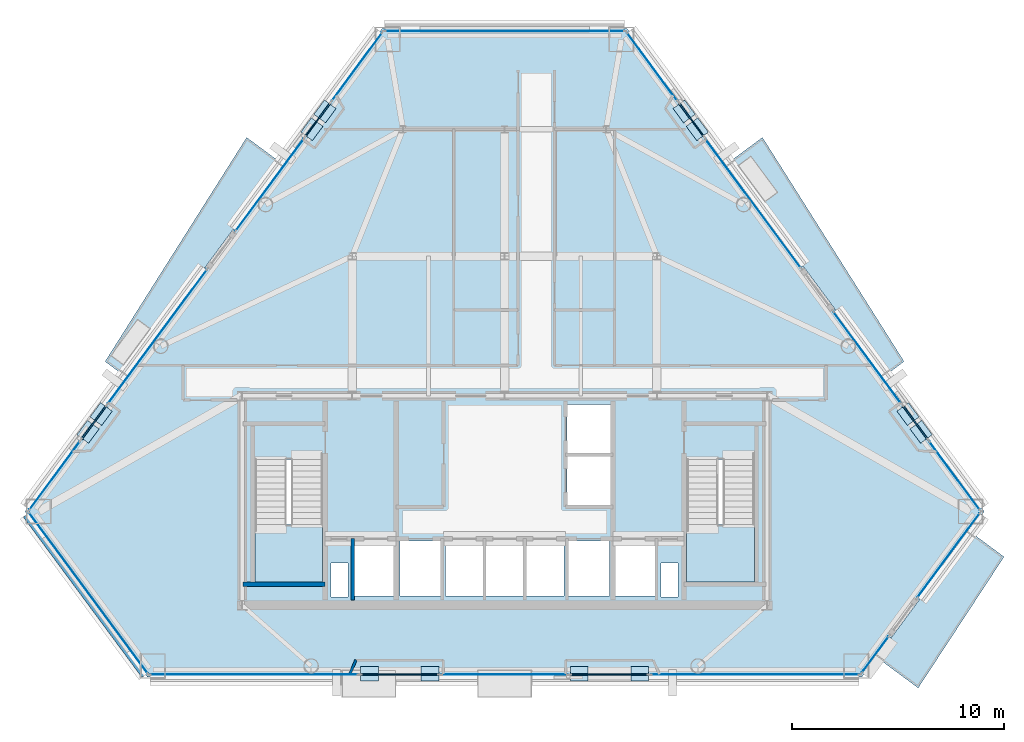
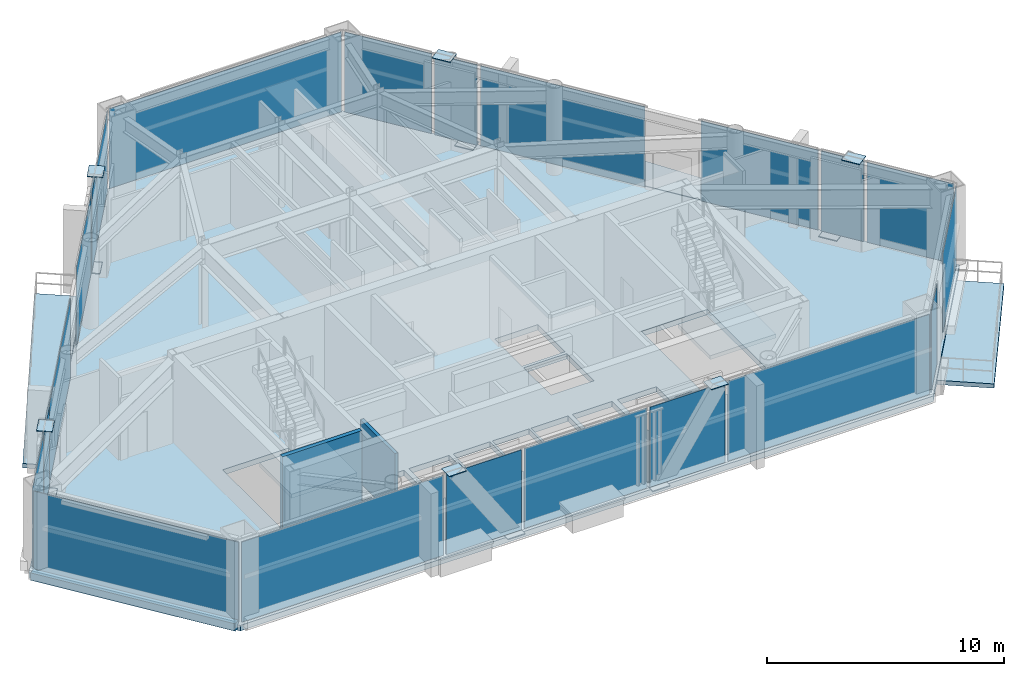
# One storey, part 6 of 11: 33 plates, 6 slabs, 4 walls, 23 elements without a shape of their own.
"""IFC4 building model written with IfcOpenShell, lengths in metres."""

from ifc_helpers import new_model, si_unit, direction, frame, frame_2d, origin, origin_2d, place, context, subcontext, project, spatial, polyline, rectangle, outline, extrude, source, transform, mapped, material, layer, layer_set, type_object, type_shapes, element, aggregate, save


model = new_model("IFC4")

# Units and contexts
model_context = context("Model", 3, precision=1e-05, world=origin(), true_north=direction((0.0, 1.0)))
body_context = subcontext(model_context, "Body", "Model", "MODEL_VIEW")
ifc_project = project(units=[si_unit("LENGTHUNIT", "METRE"), si_unit("AREAUNIT", "SQUARE_METRE"), si_unit("VOLUMEUNIT", "CUBIC_METRE"), si_unit("PLANEANGLEUNIT", "RADIAN"), si_unit("MASSUNIT", "GRAM", prefix="KILO")], contexts=[model_context])

# Site, building, storey
site_placement = place(None, origin())
site = spatial("IfcSite", under=ifc_project, at=site_placement, CompositionType="ELEMENT")
building_placement = place(site_placement, origin())
building = spatial("IfcBuilding", under=site, at=building_placement, Name="Talgorran Terracotta Tower", CompositionType="ELEMENT")
storey_placement = place(building_placement, frame((0.0, 0.0, 117.60009765625)))
storey = spatial("IfcBuildingStorey", under=building, at=storey_placement, Name="L30", CompositionType="ELEMENT", Elevation=117.60009765625)

# Plates
ifc_material_1 = material(Name="Steel Grade 350 (350L0)", Category="steel")
ifc_layer_1 = layer(ifc_material_1, 0.035888671875, Name="PL_CAP_MN06")
ifc_layer_set_1 = layer_set([ifc_layer_1], Name="Steel Grade 350 (350L0)")
plate_type_1 = type_object("IfcPlateType", Name="PL_CAP_MN06", PredefinedType="USERDEFINED", material=ifc_layer_set_1)
for number, where, z_axis, x_axis, name in (
    (1, (-3.528076171875, -17.3232421875, -0.0078125), (0.0, 0.0, 1.0), (-1.0, 0.0, 0.0), "L30 Diagonal Frame End Cap SWF Bot"),
    (2, (-6.3837890625, -17.3232421875, 4.22216796875), (0.0, 0.0, 1.0), (-1.0, 0.0, 0.0), "L30 Diagonal Frame End Cap SWF Top"),
    (3, (3.528076171875, -17.3232421875, -0.0078125), (0.0, 0.0, 1.0), (1.0, 0.0, 0.0), "L30 Diagonal Frame End Cap SEF Bot"),
    (4, (6.3837890625, -17.3232421875, 4.22216796875), (0.0, 0.0, 1.0), (1.0, 0.0, 0.0), "L30 Diagonal Frame End Cap SEF Top"),
    (5, (19.063720703125, -5.06103515625, -0.0078125), (0.0, 0.0, 1.0), (0.594682478203, -0.803960664534, 0.0), "L30 Diagonal Frame End Cap NEL Bot"),
    (6, (19.683837890625, -5.899658203125, 4.22216796875), (0.0, 0.0, 1.0), (0.594682478203, -0.803960664534, 0.0), "L30 Diagonal Frame End Cap NEL Top"),
    (7, (9.106689453125, 8.401123046875, -0.0078125), (0.0, 0.0, 1.0), (-0.594682478203, 0.803960664534, 0.0), "L30 Diagonal Frame End Cap NEU Bot"),
    (8, (8.486572265625, 9.23974609375, 4.22216796875), (0.0, 0.0, 1.0), (-0.594682478203, 0.803960664534, 0.0), "L30 Diagonal Frame End Cap NEU Top"),
    (9, (-9.106689453125, 8.401123046875, -0.0078125), (0.0, 0.0, 1.0), (0.594682478203, 0.803960664534, 0.0), "L30 Diagonal Frame End Cap NWU Bot"),
    (10, (-8.486572265625, 9.23974609375, 4.22216796875), (0.0, 0.0, 1.0), (0.594682478203, 0.803960664534, 0.0), "L30 Diagonal Frame End Cap NWU Top"),
    (11, (-19.063720703125, -5.06103515625, -0.0078125), (0.0, 0.0, 1.0), (-0.594682478203, -0.803960664534, 0.0), "L30 Diagonal Frame End Cap NWL Bot"),
    (12, (-19.683837890625, -5.899658203125, 4.22216796875), (0.0, 0.0, 1.0), (-0.594682478203, -0.803960664534, 0.0), "L30 Diagonal Frame End Cap NWL Top"),
):
    element("IfcPlate", number, at=place(storey_placement, frame(where, z_axis=z_axis, x_axis=x_axis)), inside=storey, type_object=plate_type_1, Name=name, ObjectType="CAP PLATE", PredefinedType="USERDEFINED", context=body_context, shape_type="SweptSolid", body=[
        extrude(rectangle(XDim=0.840087890625, YDim=0.679931640625, at=origin_2d()), origin(), (0.0, 0.0, 1.0), 0.035888671875),
    ])

# Slabs
ifc_material_2 = material(Name="Concrete C40/50", Category="concrete")
ifc_layer_2 = layer(ifc_material_2, 0.219970703125, Name="SL_BALCONY_220")
ifc_layer_set_2 = layer_set([ifc_layer_2], Name="Concrete C40/50")
slab_type_1 = type_object("IfcSlabType", Name="SL_BALCONY_220", PredefinedType="FLOOR", material=ifc_layer_set_2)
slab_1_placement = place(storey_placement, frame((0.0, 0.0, -0.22021484375)))
element("IfcSlab", 13, at=slab_1_placement, inside=storey, type_object=slab_type_1, Name="L30 Outdoor Wave Balcony BAL-NE", PredefinedType="FLOOR", context=body_context, shape_type="SweptSolid", body=[
    extrude(outline(polyline([(10.523193359375, 6.780029296875), (17.95068359375, -3.26220703125), (18.877197265625, -2.5771484375), (12.185791015625, 8.009765625), (10.523193359375, 6.780029296875)])), origin(), (0.0, 0.0, 1.0), 0.22021484375),
])
slab_2_placement = place(storey_placement, frame((0.0, 0.0, -0.22021484375)))
element("IfcSlab", 14, at=slab_2_placement, inside=storey, type_object=slab_type_1, Name="L30 Outdoor Wave Balcony BAL-NW", PredefinedType="FLOOR", context=body_context, shape_type="SweptSolid", body=[
    extrude(outline(polyline([(-17.95068359375, -3.26220703125), (-10.523193359375, 6.780029296875), (-12.185791015625, 8.009765625), (-18.877197265625, -2.5771484375), (-17.95068359375, -3.26220703125)])), origin(), (0.0, 0.0, 1.0), 0.22021484375),
])
slab_3_placement = place(storey_placement, frame((0.0, 0.0, -0.22021484375)))
element("IfcSlab", 15, at=slab_3_placement, inside=storey, type_object=slab_type_1, Name="L30 Outdoor Wave Balcony BAL-SE", PredefinedType="FLOOR", context=body_context, shape_type="SweptSolid", body=[
    extrude(outline(polyline([(21.983154296875, -10.609375), (17.586669921875, -16.5537109375), (19.544189453125, -18.001220703125), (23.6005859375, -11.8056640625), (21.983154296875, -10.609375)])), origin(), (0.0, 0.0, 1.0), 0.22021484375),
])
ifc_layer_3 = layer(ifc_material_2, 0.280029296875, Name="SL_HALL_280")
ifc_layer_set_3 = layer_set([ifc_layer_3], Name="Concrete C40/50")
slab_type_2 = type_object("IfcSlabType", Name="SL_HALL_280", PredefinedType="FLOOR", material=ifc_layer_set_3)
slab_4_placement = place(storey_placement, frame((0.0, 0.0, -0.280029296875)))
element("IfcSlab", 16, at=slab_4_placement, inside=storey, type_object=slab_type_2, Name="Storey L30 Structural Floor Slab", PredefinedType="FLOOR", context=body_context, shape_type="SweptSolid", body=[
    extrude(outline(polyline([(-22.665283203125, -9.661865234375), (-16.880615234375, -17.4833984375), (16.880615234375, -17.4833984375), (22.665283203125, -9.661865234375), (5.78466796875, 13.161865234375), (-5.78466796875, 13.161865234375), (-22.665283203125, -9.661865234375)]), holes=[polyline([(-11.800048828125, -7.199951171875), (-11.800048828125, -13.0), (-8.60009765625, -13.0), (-8.60009765625, -7.199951171875), (-11.800048828125, -7.199951171875)]), polyline([(8.60009765625, -7.199951171875), (8.60009765625, -13.0), (11.800048828125, -13.0), (11.800048828125, -7.199951171875), (8.60009765625, -7.199951171875)]), polyline([(-7.10009765625, -13.64990234375), (-5.199951171875, -13.64990234375), (-5.199951171875, -11.050048828125), (-7.10009765625, -11.050048828125), (-7.10009765625, -13.64990234375)]), polyline([(5.199951171875, -13.64990234375), (7.10009765625, -13.64990234375), (7.10009765625, -11.050048828125), (5.199951171875, -11.050048828125), (5.199951171875, -13.64990234375)]), polyline([(3.0, -13.64990234375), (4.949951171875, -13.64990234375), (4.949951171875, -11.050048828125), (3.0, -11.050048828125), (3.0, -13.64990234375)]), polyline([(-4.949951171875, -13.64990234375), (-3.0, -13.64990234375), (-3.0, -11.050048828125), (-4.949951171875, -11.050048828125), (-4.949951171875, -13.64990234375)]), polyline([(2.949951171875, -9.35009765625), (5.050048828125, -9.35009765625), (5.050048828125, -7.050048828125), (2.949951171875, -7.050048828125), (2.949951171875, -9.35009765625)]), polyline([(2.949951171875, -6.89990234375), (5.050048828125, -6.89990234375), (5.050048828125, -4.60009765625), (2.949951171875, -4.60009765625), (2.949951171875, -6.89990234375)]), polyline([(-2.800048828125, -13.64990234375), (-1.0, -13.64990234375), (-1.0, -11.050048828125), (-2.800048828125, -11.050048828125), (-2.800048828125, -13.64990234375)]), polyline([(-0.89990234375, -13.64990234375), (0.89990234375, -13.64990234375), (0.89990234375, -11.050048828125), (-0.89990234375, -11.050048828125), (-0.89990234375, -13.64990234375)]), polyline([(1.0, -13.64990234375), (2.800048828125, -13.64990234375), (2.800048828125, -11.050048828125), (1.0, -11.050048828125), (1.0, -13.64990234375)]), polyline([(-8.199951171875, -13.699951171875), (-7.39990234375, -13.699951171875), (-7.39990234375, -12.10009765625), (-8.199951171875, -12.10009765625), (-8.199951171875, -13.699951171875)]), polyline([(7.39990234375, -13.699951171875), (8.199951171875, -13.699951171875), (8.199951171875, -12.10009765625), (7.39990234375, -12.10009765625), (7.39990234375, -13.699951171875)])]), origin(), (0.0, 0.0, 1.0), 0.280029296875),
])

# Stair, slab
stair_type = type_object("IfcStairType", Name="ST_FIRE_SCISSOR", PredefinedType="HALF_TURN_STAIR", material=ifc_material_2)
stair_1_placement = place(storey_placement, origin())
stair_1 = element("IfcStair", 17, at=stair_1_placement, inside=storey, type_object=stair_type, Name="L30 West Protected Fire Stair ST-01", PredefinedType="HALF_TURN_STAIR")
ifc_layer_4 = layer(ifc_material_2, 0.199951171875, Name="SL_LANDING_200")
ifc_layer_set_4 = layer_set([ifc_layer_4], Name="Concrete C40/50")
slab_type_3 = type_object("IfcSlabType", Name="SL_LANDING_200", PredefinedType="LANDING", material=ifc_layer_set_4)
slab_5_placement = place(storey_placement, frame((0.0, 0.0, 2.0498046875)))
slab_5 = element("IfcSlab", 18, at=slab_5_placement, type_object=slab_type_3, Name="ST-01 landing 1", PredefinedType="LANDING", context=body_context, shape_type="SweptSolid", body=[
    extrude(outline(polyline([(-11.800048828125, -10.280029296875), (-11.800048828125, -13.0), (-8.60009765625, -13.0), (-8.60009765625, -10.280029296875), (-11.800048828125, -10.280029296875)])), origin(), (0.0, 0.0, 1.0), 0.2001953125),
])
aggregate(stair_1, [slab_5])

stair_2_placement = place(storey_placement, origin())
stair_2 = element("IfcStair", 19, at=stair_2_placement, inside=storey, type_object=stair_type, Name="L30 East Protected Fire Stair ST-02", PredefinedType="HALF_TURN_STAIR")
slab_6_placement = place(storey_placement, frame((0.0, 0.0, 2.0498046875)))
slab_6 = element("IfcSlab", 20, at=slab_6_placement, type_object=slab_type_3, Name="ST-02 landing 1", PredefinedType="LANDING", context=body_context, shape_type="SweptSolid", body=[
    extrude(outline(polyline([(8.60009765625, -10.280029296875), (8.60009765625, -13.0), (11.800048828125, -13.0), (11.800048828125, -10.280029296875), (8.60009765625, -10.280029296875)])), origin(), (0.0, 0.0, 1.0), 0.2001953125),
])
aggregate(stair_2, [slab_6])

# Curtain wall, plate
ifc_material_3 = material(Name="Unitised Low-E Double Glazing", Category="glass")
ifc_layer_5 = layer(ifc_material_3, 0.199951171875, Name="CW_SYS2_RES_LOW")
ifc_layer_set_5 = layer_set([ifc_layer_5], Name="Unitised Low-E Double Glazing")
curtain_wall_type = type_object("IfcCurtainWallType", Name="CW_SYS2_RES_LOW", PredefinedType="NOTDEFINED", material=ifc_layer_set_5)
curtain_wall_1_placement = place(storey_placement, origin())
curtain_wall_1 = element("IfcCurtainWall", 21, at=curtain_wall_1_placement, inside=storey, type_object=curtain_wall_type, Name="CW-L30-F0", PredefinedType="NOTDEFINED")
ifc_material_4 = material(Name="Low-E Laminated Vision Glass", Category="glass")
ifc_layer_6 = layer(ifc_material_4, 0.028076171875, Name="PLT_VISION_28")
ifc_layer_set_6 = layer_set([ifc_layer_6], Name="Low-E Laminated Vision Glass")
plate_type_2 = type_object("IfcPlateType", Name="PLT_VISION_28", PredefinedType="CURTAIN_PANEL", material=ifc_layer_set_6)
shared_shape_1 = source(origin(), body_context, "Body", "SweptSolid", [
    extrude(rectangle(XDim=9.448974609375, YDim=0.028076171875, at=origin_2d()), origin(), (0.0, 0.0, 1.0), 4.1201171875),
])
plate_1_placement = place(storey_placement, frame((-19.66796875, -13.5126953125, 0.06494140625), z_axis=(0.0, 0.0, 1.0), x_axis=(0.594638188027, -0.803993423692, 0.0)))
plate_1 = element("IfcPlate", 22, at=plate_1_placement, type_object=plate_type_2, Name="CW-L30-0 panel 1.1", PredefinedType="CURTAIN_PANEL", context=body_context, shape_type="MappedRepresentation", body=[
    mapped(shared_shape_1, transform((0.0, 0.0, 0.0), scale=1.0)),
])
aggregate(curtain_wall_1, [plate_1])

curtain_wall_2_placement = place(storey_placement, origin())
curtain_wall_2 = element("IfcCurtainWall", 23, at=curtain_wall_2_placement, inside=storey, type_object=curtain_wall_type, Name="CW-L30-F1", PredefinedType="NOTDEFINED")
shared_shape_2 = source(origin(), body_context, "Body", "SweptSolid", [
    extrude(rectangle(XDim=9.826171875, YDim=0.028076171875, at=origin_2d()), origin(), (0.0, 0.0, 1.0), 4.1201171875),
])
plate_2_placement = place(storey_placement, frame((-11.841796875, -17.36328125, 0.06494140625), z_axis=(0.0, 0.0, 1.0), x_axis=(1.0, 0.0, 0.0)))
plate_2 = element("IfcPlate", 24, at=plate_2_placement, type_object=plate_type_2, Name="CW-L30-1 panel 1.1", PredefinedType="CURTAIN_PANEL", context=body_context, shape_type="MappedRepresentation", body=[
    mapped(shared_shape_2, transform((0.0, 0.0, 0.0), scale=1.0)),
])
aggregate(curtain_wall_2, [plate_2])

curtain_wall_3_placement = place(storey_placement, origin())
curtain_wall_3 = element("IfcCurtainWall", 25, at=curtain_wall_3_placement, inside=storey, type_object=curtain_wall_type, Name="CW-L30-F1E", PredefinedType="NOTDEFINED")
plate_3_placement = place(storey_placement, frame((11.841796875, -17.36328125, 0.06494140625), z_axis=(0.0, 0.0, 1.0), x_axis=(1.0, 0.0, 0.0)))
plate_3 = element("IfcPlate", 26, at=plate_3_placement, type_object=plate_type_2, Name="CW-L30-1E panel 1.1", PredefinedType="CURTAIN_PANEL", context=body_context, shape_type="MappedRepresentation", body=[
    mapped(shared_shape_2, transform((0.0, 0.0, 0.0), scale=1.0)),
])
aggregate(curtain_wall_3, [plate_3])

curtain_wall_4_placement = place(storey_placement, origin())
curtain_wall_4 = element("IfcCurtainWall", 27, at=curtain_wall_4_placement, inside=storey, type_object=curtain_wall_type, Name="CW-L30-F1B", PredefinedType="NOTDEFINED")
ifc_material_5 = material(Name="Terracotta Insulated Spandrel", Category="masonry")
ifc_layer_7 = layer(ifc_material_5, 0.06494140625, Name="PLT_SPANDREL_TERRA")
ifc_layer_set_7 = layer_set([ifc_layer_7], Name="Terracotta Insulated Spandrel")
plate_type_3 = type_object("IfcPlateType", Name="PLT_SPANDREL_TERRA", PredefinedType="SHEET", material=ifc_layer_set_7)
shared_shape_3 = source(origin(), body_context, "Body", "SweptSolid", [
    extrude(rectangle(XDim=3.665771484375, YDim=0.06494140625, at=origin_2d()), origin(), (0.0, 0.0, 1.0), 4.1201171875),
])
plate_4_placement = place(storey_placement, frame((-4.9560546875, -17.36328125, 0.06494140625), z_axis=(0.0, 0.0, 1.0), x_axis=(1.0, 0.0, 0.0)))
plate_4 = element("IfcPlate", 28, at=plate_4_placement, type_object=plate_type_3, Name="CW-L30-1B panel 1.1", PredefinedType="CURTAIN_PANEL", context=body_context, shape_type="MappedRepresentation", body=[
    mapped(shared_shape_3, transform((0.0, 0.0, 0.0), scale=1.0)),
])
aggregate(curtain_wall_4, [plate_4])

curtain_wall_5_placement = place(storey_placement, origin())
curtain_wall_5 = element("IfcCurtainWall", 29, at=curtain_wall_5_placement, inside=storey, type_object=curtain_wall_type, Name="CW-L30-F1D", PredefinedType="NOTDEFINED")
plate_5_placement = place(storey_placement, frame((4.9560546875, -17.36328125, 0.06494140625), z_axis=(0.0, 0.0, 1.0), x_axis=(1.0, 0.0, 0.0)))
plate_5 = element("IfcPlate", 30, at=plate_5_placement, type_object=plate_type_3, Name="CW-L30-1D panel 1.1", PredefinedType="CURTAIN_PANEL", context=body_context, shape_type="MappedRepresentation", body=[
    mapped(shared_shape_3, transform((0.0, 0.0, 0.0), scale=1.0)),
])
aggregate(curtain_wall_5, [plate_5])

curtain_wall_6_placement = place(storey_placement, origin())
curtain_wall_6 = element("IfcCurtainWall", 31, at=curtain_wall_6_placement, inside=storey, type_object=curtain_wall_type, Name="CW-L30-F1C", PredefinedType="NOTDEFINED")
shared_shape_4 = source(origin(), body_context, "Body", "SweptSolid", [
    extrude(rectangle(XDim=5.96630859375, YDim=0.028076171875, at=origin_2d()), origin(), (0.0, 0.0, 1.0), 4.1201171875),
])
plate_6_placement = place(storey_placement, frame((0.0, -17.36328125, 0.06494140625), z_axis=(0.0, 0.0, 1.0), x_axis=(1.0, 0.0, 0.0)))
plate_6 = element("IfcPlate", 32, at=plate_6_placement, type_object=plate_type_2, Name="CW-L30-1C panel 1.1", PredefinedType="CURTAIN_PANEL", context=body_context, shape_type="MappedRepresentation", body=[
    mapped(shared_shape_4, transform((0.0, 0.0, 0.0), scale=1.0)),
])
aggregate(curtain_wall_6, [plate_6])

curtain_wall_7_placement = place(storey_placement, origin())
curtain_wall_7 = element("IfcCurtainWall", 33, at=curtain_wall_7_placement, inside=storey, type_object=curtain_wall_type, Name="CW-L30-F30", PredefinedType="NOTDEFINED")
shared_shape_5 = source(origin(), body_context, "Body", "SweptSolid", [
    extrude(rectangle(XDim=2.126953125, YDim=0.028076171875, at=origin_2d()), origin(), (0.0, 0.0, 1.0), 4.1201171875),
])
plate_7_placement = place(storey_placement, frame((17.514892578125, -16.423828125, 0.06494140625), z_axis=(0.0, 0.0, 1.0), x_axis=(0.594633978052, 0.803996537397, 0.0)))
plate_7 = element("IfcPlate", 34, at=plate_7_placement, type_object=plate_type_2, Name="CW-L30-30 panel 1.1", PredefinedType="CURTAIN_PANEL", context=body_context, shape_type="MappedRepresentation", body=[
    mapped(shared_shape_5, transform((0.0, 0.0, 0.0), scale=1.0)),
])
aggregate(curtain_wall_7, [plate_7])

curtain_wall_8_placement = place(storey_placement, origin())
curtain_wall_8 = element("IfcCurtainWall", 35, at=curtain_wall_8_placement, inside=storey, type_object=curtain_wall_type, Name="CW-L30-F31", PredefinedType="NOTDEFINED")
shared_shape_6 = source(origin(), body_context, "Body", "SweptSolid", [
    extrude(rectangle(XDim=4.9521484375, YDim=0.028076171875, at=origin_2d()), origin(), (0.0, 0.0, 1.0), 4.1201171875),
])
plate_8_placement = place(storey_placement, frame((20.981201171875, -11.737060546875, 0.06494140625), z_axis=(0.0, 0.0, 1.0), x_axis=(0.594643876032, 0.80398921678, 0.0)))
plate_8 = element("IfcPlate", 36, at=plate_8_placement, type_object=plate_type_2, Name="CW-L30-31 panel 1.1", PredefinedType="CURTAIN_PANEL", context=body_context, shape_type="MappedRepresentation", body=[
    mapped(shared_shape_6, transform((0.0, 0.0, 0.0), scale=1.0)),
])
aggregate(curtain_wall_8, [plate_8])

curtain_wall_9_placement = place(storey_placement, origin())
curtain_wall_9 = element("IfcCurtainWall", 37, at=curtain_wall_9_placement, inside=storey, type_object=curtain_wall_type, Name="CW-L30-F40", PredefinedType="NOTDEFINED")
shared_shape_7 = source(origin(), body_context, "Body", "SweptSolid", [
    extrude(rectangle(XDim=4.0048828125, YDim=0.028076171875, at=origin_2d()), origin(), (0.0, 0.0, 1.0), 4.1201171875),
])
plate_9_placement = place(storey_placement, frame((21.2626953125, -7.967529296875, 0.06494140625), z_axis=(0.0, 0.0, 1.0), x_axis=(-0.594646711891, 0.803987119323, 0.0)))
plate_9 = element("IfcPlate", 38, at=plate_9_placement, type_object=plate_type_2, Name="CW-L30-40 panel 1.1", PredefinedType="CURTAIN_PANEL", context=body_context, shape_type="MappedRepresentation", body=[
    mapped(shared_shape_7, transform((0.0, 0.0, 0.0), scale=1.0)),
])
aggregate(curtain_wall_9, [plate_9])

curtain_wall_10_placement = place(storey_placement, origin())
curtain_wall_10 = element("IfcCurtainWall", 39, at=curtain_wall_10_placement, inside=storey, type_object=curtain_wall_type, Name="CW-L30-F61C", PredefinedType="NOTDEFINED")
plate_10_placement = place(storey_placement, frame((-21.262939453125, -7.967529296875, 0.06494140625), z_axis=(0.0, 0.0, 1.0), x_axis=(-0.594631078845, -0.803998681636, 0.0)))
plate_10 = element("IfcPlate", 40, at=plate_10_placement, type_object=plate_type_2, Name="CW-L30-61C panel 1.1", PredefinedType="CURTAIN_PANEL", context=body_context, shape_type="MappedRepresentation", body=[
    mapped(shared_shape_7, transform((0.0, 0.0, 0.0), scale=1.0)),
])
aggregate(curtain_wall_10, [plate_10])

curtain_wall_11_placement = place(storey_placement, origin())
curtain_wall_11 = element("IfcCurtainWall", 41, at=curtain_wall_11_placement, inside=storey, type_object=curtain_wall_type, Name="CW-L30-F40B", PredefinedType="NOTDEFINED")
shared_shape_8 = source(origin(), body_context, "Body", "SweptSolid", [
    extrude(rectangle(XDim=1.9609375, YDim=0.06494140625, at=origin_2d()), origin(), (0.0, 0.0, 1.0), 4.1201171875),
])
type_shapes(plate_type_3, [shared_shape_3, shared_shape_8])
plate_11_placement = place(storey_placement, frame((19.40576171875, -5.456787109375, 0.06494140625), z_axis=(0.0, 0.0, 1.0), x_axis=(-0.594630383286, 0.803999196065, 0.0)))
plate_11 = element("IfcPlate", 42, at=plate_11_placement, type_object=plate_type_3, Name="CW-L30-40B panel 1.1", PredefinedType="CURTAIN_PANEL", context=body_context, shape_type="MappedRepresentation", body=[
    mapped(shared_shape_8, transform((0.0, 0.0, 0.0), scale=1.0)),
])
aggregate(curtain_wall_11, [plate_11])

curtain_wall_12_placement = place(storey_placement, origin())
curtain_wall_12 = element("IfcCurtainWall", 43, at=curtain_wall_12_placement, inside=storey, type_object=curtain_wall_type, Name="CW-L30-F41B", PredefinedType="NOTDEFINED")
plate_12_placement = place(storey_placement, frame((8.828857421875, 8.84423828125, 0.06494140625), z_axis=(0.0, 0.0, 1.0), x_axis=(-0.594630383286, 0.803999196065, 0.0)))
plate_12 = element("IfcPlate", 44, at=plate_12_placement, type_object=plate_type_3, Name="CW-L30-41B panel 1.1", PredefinedType="CURTAIN_PANEL", context=body_context, shape_type="MappedRepresentation", body=[
    mapped(shared_shape_8, transform((0.0, 0.0, 0.0), scale=1.0)),
])
aggregate(curtain_wall_12, [plate_12])

curtain_wall_13_placement = place(storey_placement, origin())
curtain_wall_13 = element("IfcCurtainWall", 45, at=curtain_wall_13_placement, inside=storey, type_object=curtain_wall_type, Name="CW-L30-F60B", PredefinedType="NOTDEFINED")
plate_13_placement = place(storey_placement, frame((-8.828857421875, 8.84423828125, 0.06494140625), z_axis=(0.0, 0.0, 1.0), x_axis=(-0.594630383286, -0.803999196065, 0.0)))
plate_13 = element("IfcPlate", 46, at=plate_13_placement, type_object=plate_type_3, Name="CW-L30-60B panel 1.1", PredefinedType="CURTAIN_PANEL", context=body_context, shape_type="MappedRepresentation", body=[
    mapped(shared_shape_8, transform((0.0, 0.0, 0.0), scale=1.0)),
])
aggregate(curtain_wall_13, [plate_13])

curtain_wall_14_placement = place(storey_placement, origin())
curtain_wall_14 = element("IfcCurtainWall", 47, at=curtain_wall_14_placement, inside=storey, type_object=curtain_wall_type, Name="CW-L30-F61B", PredefinedType="NOTDEFINED")
plate_14_placement = place(storey_placement, frame((-19.40576171875, -5.456787109375, 0.06494140625), z_axis=(0.0, 0.0, 1.0), x_axis=(-0.594630383286, -0.803999196065, 0.0)))
plate_14 = element("IfcPlate", 48, at=plate_14_placement, type_object=plate_type_3, Name="CW-L30-61B panel 1.1", PredefinedType="CURTAIN_PANEL", context=body_context, shape_type="MappedRepresentation", body=[
    mapped(shared_shape_8, transform((0.0, 0.0, 0.0), scale=1.0)),
])
aggregate(curtain_wall_14, [plate_14])

curtain_wall_15_placement = place(storey_placement, origin())
curtain_wall_15 = element("IfcCurtainWall", 49, at=curtain_wall_15_placement, inside=storey, type_object=curtain_wall_type, Name="CW-L30-F40C", PredefinedType="NOTDEFINED")
shared_shape_9 = source(origin(), body_context, "Body", "SweptSolid", [
    extrude(rectangle(XDim=5.384521484375, YDim=0.028076171875, at=origin_2d()), origin(), (0.0, 0.0, 1.0), 4.1201171875),
])
plate_15_placement = place(storey_placement, frame((17.138427734375, -2.39111328125, 0.06494140625), z_axis=(0.0, 0.0, 1.0), x_axis=(-0.594639339898, 0.80399257176, 0.0)))
plate_15 = element("IfcPlate", 50, at=plate_15_placement, type_object=plate_type_2, Name="CW-L30-40C panel 1.1", PredefinedType="CURTAIN_PANEL", context=body_context, shape_type="MappedRepresentation", body=[
    mapped(shared_shape_9, transform((0.0, 0.0, 0.0), scale=1.0)),
])
aggregate(curtain_wall_15, [plate_15])

curtain_wall_16_placement = place(storey_placement, origin())
curtain_wall_16 = element("IfcCurtainWall", 51, at=curtain_wall_16_placement, inside=storey, type_object=curtain_wall_type, Name="CW-L30-F41", PredefinedType="NOTDEFINED")
shared_shape_10 = source(origin(), body_context, "Body", "SweptSolid", [
    extrude(rectangle(XDim=7.57177734375, YDim=0.028076171875, at=origin_2d()), origin(), (0.0, 0.0, 1.0), 4.1201171875),
])
plate_16_placement = place(storey_placement, frame((11.746337890625, 4.899658203125, 0.06494140625), z_axis=(0.0, 0.0, 1.0), x_axis=(-0.594637098009, 0.803994229875, 0.0)))
plate_16 = element("IfcPlate", 52, at=plate_16_placement, type_object=plate_type_2, Name="CW-L30-41 panel 1.1", PredefinedType="CURTAIN_PANEL", context=body_context, shape_type="MappedRepresentation", body=[
    mapped(shared_shape_10, transform((0.0, 0.0, 0.0), scale=1.0)),
])
aggregate(curtain_wall_16, [plate_16])

curtain_wall_17_placement = place(storey_placement, origin())
curtain_wall_17 = element("IfcCurtainWall", 53, at=curtain_wall_17_placement, inside=storey, type_object=curtain_wall_type, Name="CW-L30-F41C", PredefinedType="NOTDEFINED")
shared_shape_11 = source(origin(), body_context, "Body", "SweptSolid", [
    extrude(rectangle(XDim=3.995361328125, YDim=0.028076171875, at=origin_2d()), origin(), (0.0, 0.0, 1.0), 4.1201171875),
])
plate_17_placement = place(storey_placement, frame((6.974609375, 11.351318359375, 0.06494140625), z_axis=(0.0, 0.0, 1.0), x_axis=(-0.594634353699, 0.803996259569, 0.0)))
plate_17 = element("IfcPlate", 54, at=plate_17_placement, type_object=plate_type_2, Name="CW-L30-41C panel 1.1", PredefinedType="CURTAIN_PANEL", context=body_context, shape_type="MappedRepresentation", body=[
    mapped(shared_shape_11, transform((0.0, 0.0, 0.0), scale=1.0)),
])
aggregate(curtain_wall_17, [plate_17])

curtain_wall_18_placement = place(storey_placement, origin())
curtain_wall_18 = element("IfcCurtainWall", 55, at=curtain_wall_18_placement, inside=storey, type_object=curtain_wall_type, Name="CW-L30-F60", PredefinedType="NOTDEFINED")
plate_18_placement = place(storey_placement, frame((-6.974609375, 11.351318359375, 0.06494140625), z_axis=(0.0, 0.0, 1.0), x_axis=(-0.594634353699, -0.803996259569, 0.0)))
plate_18 = element("IfcPlate", 56, at=plate_18_placement, type_object=plate_type_2, Name="CW-L30-60 panel 1.1", PredefinedType="CURTAIN_PANEL", context=body_context, shape_type="MappedRepresentation", body=[
    mapped(shared_shape_11, transform((0.0, 0.0, 0.0), scale=1.0)),
])
aggregate(curtain_wall_18, [plate_18])

curtain_wall_19_placement = place(storey_placement, origin())
curtain_wall_19 = element("IfcCurtainWall", 57, at=curtain_wall_19_placement, inside=storey, type_object=curtain_wall_type, Name="CW-L30-F4", PredefinedType="NOTDEFINED")
shared_shape_12 = source(origin(), body_context, "Body", "SweptSolid", [
    extrude(rectangle(XDim=11.318359375, YDim=0.028076171875, at=origin_2d()), origin(), (0.0, 0.0, 1.0), 4.1201171875),
])
plate_19_placement = place(storey_placement, frame((0.0, 13.0419921875, 0.06494140625), z_axis=(0.0, 0.0, 1.0), x_axis=(-1.0, 0.0, 0.0)))
plate_19 = element("IfcPlate", 58, at=plate_19_placement, type_object=plate_type_2, Name="CW-L30-4 panel 1.1", PredefinedType="CURTAIN_PANEL", context=body_context, shape_type="MappedRepresentation", body=[
    mapped(shared_shape_12, transform((0.0, 0.0, 0.0), scale=1.0)),
])
aggregate(curtain_wall_19, [plate_19])

curtain_wall_20_placement = place(storey_placement, origin())
curtain_wall_20 = element("IfcCurtainWall", 59, at=curtain_wall_20_placement, inside=storey, type_object=curtain_wall_type, Name="CW-L30-F60C", PredefinedType="NOTDEFINED")
shared_shape_13 = source(origin(), body_context, "Body", "SweptSolid", [
    extrude(rectangle(XDim=5.400390625, YDim=0.028076171875, at=origin_2d()), origin(), (0.0, 0.0, 1.0), 4.1201171875),
])
plate_20_placement = place(storey_placement, frame((-11.100830078125, 5.7724609375, 0.06494140625), z_axis=(0.0, 0.0, 1.0), x_axis=(-0.594631510945, -0.803998362057, 0.0)))
plate_20 = element("IfcPlate", 60, at=plate_20_placement, type_object=plate_type_2, Name="CW-L30-60C panel 1.1", PredefinedType="CURTAIN_PANEL", context=body_context, shape_type="MappedRepresentation", body=[
    mapped(shared_shape_13, transform((0.0, 0.0, 0.0), scale=1.0)),
])
aggregate(curtain_wall_20, [plate_20])

curtain_wall_21_placement = place(storey_placement, origin())
curtain_wall_21 = element("IfcCurtainWall", 61, at=curtain_wall_21_placement, inside=storey, type_object=curtain_wall_type, Name="CW-L30-F61", PredefinedType="NOTDEFINED")
shared_shape_14 = source(origin(), body_context, "Body", "SweptSolid", [
    extrude(rectangle(XDim=7.855712890625, YDim=0.028076171875, at=origin_2d()), origin(), (0.0, 0.0, 1.0), 4.1201171875),
])
type_shapes(plate_type_2, [shared_shape_1, shared_shape_2, shared_shape_4, shared_shape_5, shared_shape_6, shared_shape_7, shared_shape_9, shared_shape_10, shared_shape_11, shared_shape_12, shared_shape_13, shared_shape_14])
plate_21_placement = place(storey_placement, frame((-16.40380859375, -1.397705078125, 0.06494140625), z_axis=(0.0, 0.0, 1.0), x_axis=(-0.594635035322, -0.803995755441, 0.0)))
plate_21 = element("IfcPlate", 62, at=plate_21_placement, type_object=plate_type_2, Name="CW-L30-61 panel 1.1", PredefinedType="CURTAIN_PANEL", context=body_context, shape_type="MappedRepresentation", body=[
    mapped(shared_shape_14, transform((0.0, 0.0, 0.0), scale=1.0)),
])
aggregate(curtain_wall_21, [plate_21])

# Walls
ifc_material_6 = material(Name="Concrete C50/60", Category="concrete")
ifc_layer_8 = layer(ifc_material_6, 0.199951171875, Name="WT_CORE_200")
ifc_layer_set_8 = layer_set([ifc_layer_8], Name="Concrete C50/60")
wall_type_1 = type_object("IfcWallType", Name="WT_CORE_200", PredefinedType="SOLIDWALL", material=ifc_layer_set_8)
wall_1_placement = place(storey_placement, frame((-12.35009765625, -13.10009765625, 0.0), z_axis=(0.0, 0.0, 1.0), x_axis=(1.0, 0.0, 0.0)))
element("IfcWall", 63, at=wall_1_placement, inside=storey, type_object=wall_type_1, Name="WL-L30-CW-ST1-S", PredefinedType="SOLIDWALL", context=body_context, shape_type="SweptSolid", body=[
    extrude(rectangle(XDim=3.8701171875, YDim=0.199951171875, at=frame_2d((1.93505859375, 0.0))), origin(), (0.0, 0.0, 1.0), 4.5),
])
ifc_layer_9 = layer(ifc_material_2, 0.219970703125, Name="WT_PARAPET_RC")
ifc_layer_set_9 = layer_set([ifc_layer_9], Name="Concrete C40/50")
wall_type_2 = type_object("IfcWallType", Name="WT_PARAPET_RC", PredefinedType="PARAPET", material=ifc_layer_set_9)
wall_2_placement = place(storey_placement, frame((-22.59716796875, -9.8212890625, -0.2001953125), z_axis=(0.0, 0.0, 1.0), x_axis=(0.594653396723, -0.80398217503, 0.0)))
element("IfcWall", 64, at=wall_2_placement, inside=storey, type_object=wall_type_2, Name="L30 Striped Portal Precast Cornice F0", PredefinedType="PARAPET", context=body_context, shape_type="SweptSolid", body=[
    extrude(rectangle(XDim=9.4189453125, YDim=0.360107421875, at=frame_2d((4.70947265625, 0.0))), origin(), (0.0, 0.0, 1.0), 0.380126953125),
])
ifc_material_7 = material(Name="Insulated Steel Stud Plasterboard", Category="steel")
ifc_layer_10 = layer(ifc_material_7, 0.1201171875, Name="WT_PART_120")
ifc_layer_set_10 = layer_set([ifc_layer_10], Name="Insulated Steel Stud Plasterboard")
wall_type_3 = type_object("IfcWallType", Name="WT_PART_120", PredefinedType="PARTITIONING", material=ifc_layer_set_10)
wall_3_placement = place(storey_placement, frame((-7.31787109375, -17.353271484375, 0.0), z_axis=(0.0, 0.0, 1.0), x_axis=(0.401798975651, 0.915727897995, 0.0)))
element("IfcWall", 65, at=wall_3_placement, inside=storey, type_object=wall_type_3, Name="WL-L30-BW-L30-03", PredefinedType="PARTITIONING", context=body_context, shape_type="SweptSolid", body=[
    extrude(rectangle(XDim=0.731689453125, YDim=0.1201171875, at=frame_2d((0.36572265625, 0.0))), origin(), (0.0, 0.0, 1.0), 3.69189453125),
])
ifc_material_8 = material(Name="Fire-Rated Shaftwall")
ifc_layer_11 = layer(ifc_material_8, 0.159912109375, Name="WT_PART_150")
ifc_layer_set_11 = layer_set([ifc_layer_11], Name="Fire-Rated Shaftwall")
wall_type_4 = type_object("IfcWallType", Name="WT_PART_150", PredefinedType="PARTITIONING", material=ifc_layer_set_11)
wall_4_placement = place(storey_placement, frame((-7.179931640625, -13.85009765625, 0.0), z_axis=(0.0, 0.0, 1.0), x_axis=(0.0, 1.0, 0.0)))
element("IfcWall", 66, at=wall_4_placement, inside=storey, type_object=wall_type_4, Name="WL-L30-CW-RSW", PredefinedType="PARTITIONING", context=body_context, shape_type="SweptSolid", body=[
    extrude(rectangle(XDim=2.900146484375, YDim=0.159912109375, at=frame_2d((1.4501953125, 0.0))), origin(), (0.0, 0.0, 1.0), 3.27490234375),
])

save(model, "model.ifc")
